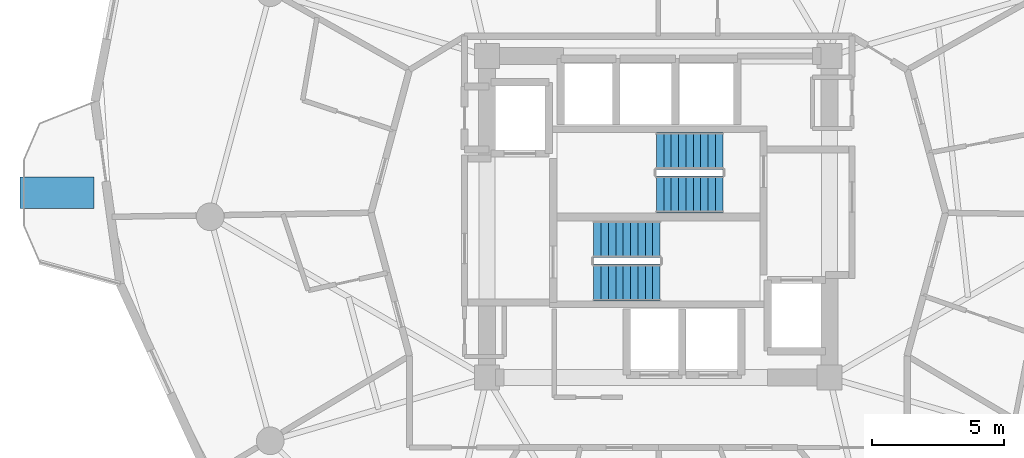
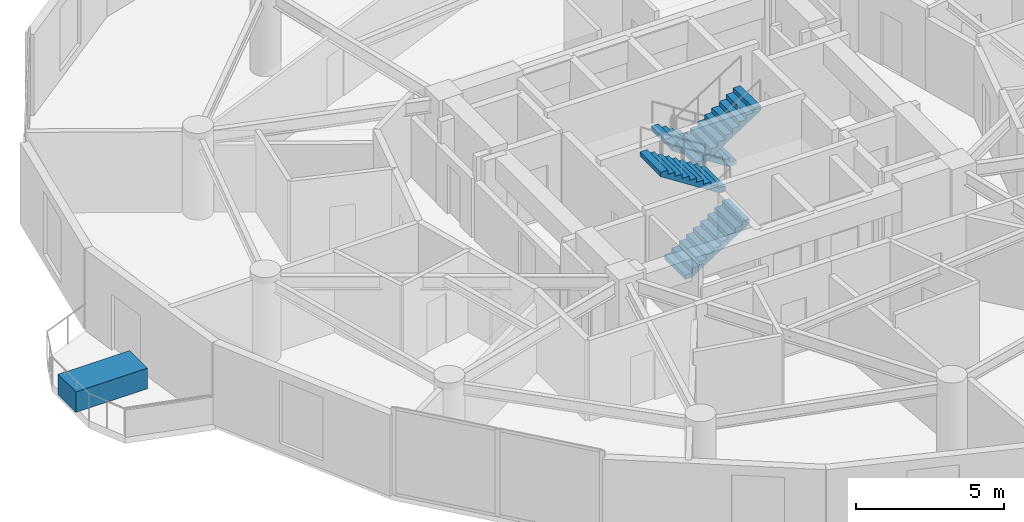
# One storey, part 21 of 23: 4 stair flights, 1 discrete accessory, 2 elements without a shape of their own.
"""IFC4 building model written with IfcOpenShell, lengths in metres."""

import ifcopenshell
import ifcopenshell.guid

model = None  # the IFC model being written
_history = None  # IfcOwnerHistory: only IFC2X3 demands one
_inside = {}  # id of a spatial element -> (the spatial element, [elements in it])
_under = {}  # id of a project, library or spatial element -> (it, [spatial elements below it])
_declared = {}  # id of a project -> (the project, [libraries it declares])
_typed = {}  # id of a type object -> (the type object, [elements of that type])
_made_of = {}  # id of a material, layer set ... -> (it, [elements and type objects made of it])


def new_model(schema):
    """Start an empty IFC model of exactly this schema.

    Asked for "IFC4X3", IfcOpenShell would pick the latest addendum, in which some entities
    have other attributes; the version numbers below select the first issue.
    IFC2X3 requires an IfcOwnerHistory on every rooted entity: one is made here for all.
    """
    global model, _history
    if schema == "IFC4X3":
        model = ifcopenshell.file(schema_version=(4, 3, 0, 0))
    else:
        model = ifcopenshell.file(schema=schema)
    _inside.clear()
    _under.clear()
    _declared.clear()
    _typed.clear()
    _made_of.clear()
    _history = None
    if model.schema == "IFC2X3":
        org = make("IfcOrganization", Name="unknown")
        user = make(
            "IfcPersonAndOrganization",
            ThePerson=make("IfcPerson", FamilyName="unknown"),
            TheOrganization=org,
        )
        app = make(
            "IfcApplication",
            ApplicationDeveloper=org,
            Version="unknown",
            ApplicationFullName="unknown",
            ApplicationIdentifier="unknown",
        )
        _history = make(
            "IfcOwnerHistory",
            OwningUser=user,
            OwningApplication=app,
            ChangeAction="ADDED",
            CreationDate=0,
        )
    return model


def make(cls, **values):
    """One entity of the class cls with the attributes given. An attribute that is None is left unset."""
    return model.create_entity(
        cls, **{name: value for name, value in values.items() if value is not None}
    )


def rooted(cls, **values):
    """An entity with a GlobalId (a new one), such as an element, a storey or a relation."""
    return make(cls, GlobalId=ifcopenshell.guid.new(), OwnerHistory=_history, **values)


def si_unit(unit_type, name, prefix=None):
    """IfcSIUnit, for example si_unit("LENGTHUNIT", "METRE", prefix="MILLI")."""
    return make("IfcSIUnit", UnitType=unit_type, Prefix=prefix, Name=name)


def assignment(units):
    """IfcUnitAssignment: the units of a project."""
    return None if units is None else make("IfcUnitAssignment", Units=units)


def point(xyz):
    """IfcCartesianPoint."""
    return None if xyz is None else make("IfcCartesianPoint", Coordinates=xyz)


def direction(xyz):
    """IfcDirection."""
    return None if xyz is None else make("IfcDirection", DirectionRatios=xyz)


def frame(location, z_axis=None, x_axis=None):
    """IfcAxis2Placement3D, a coordinate frame: its origin and axes. An axis left out is left unset."""
    return make(
        "IfcAxis2Placement3D",
        Location=point(location),
        Axis=direction(z_axis),
        RefDirection=direction(x_axis),
    )


def frame_2d(location, x_axis=None):
    """IfcAxis2Placement2D, a coordinate frame in the plane: its origin and x axis."""
    return make(
        "IfcAxis2Placement2D", Location=point(location), RefDirection=direction(x_axis)
    )


def origin():
    """The frame at (0, 0, 0) with its axes left unset."""
    return frame((0.0, 0.0, 0.0))


def origin_2d():
    """The frame at (0, 0) in the plane with its x axis left unset."""
    return frame_2d((0.0, 0.0))


def place(relative_to, where):
    """IfcLocalPlacement: puts the frame where relative to a parent placement (None: the world)."""
    return make(
        "IfcLocalPlacement", PlacementRelTo=relative_to, RelativePlacement=where
    )


def context(
    kind, dimensions, precision=None, world=None, true_north=None, identifier=None
):
    """IfcGeometricRepresentationContext, for example the 3D "Model" context."""
    return make(
        "IfcGeometricRepresentationContext",
        ContextIdentifier=identifier,
        ContextType=kind,
        CoordinateSpaceDimension=dimensions,
        Precision=precision,
        WorldCoordinateSystem=world,
        TrueNorth=true_north,
    )


def subcontext(parent, identifier, kind, view, scale=None):
    """IfcGeometricRepresentationSubContext, for example "Body" below "Model"."""
    return make(
        "IfcGeometricRepresentationSubContext",
        ContextIdentifier=identifier,
        ContextType=kind,
        ParentContext=parent,
        TargetScale=scale,
        TargetView=view,
    )


def project(units=None, contexts=None):
    """IfcProject with its units and contexts."""
    return rooted(
        "IfcProject",
        Name="project",
        RepresentationContexts=contexts,
        UnitsInContext=assignment(units),
    )


def spatial(cls, under=None, at=None, **own):
    """A site, building, storey or space (cls), placed at a placement, below another one or the project."""
    s = rooted(cls, ObjectPlacement=at, **own)
    if under is not None:
        _under.setdefault(under.id(), (under, []))[1].append(s)
    return s


def polyline(points):
    """IfcPolyline through the points."""
    return make("IfcPolyline", Points=[point(p) for p in points])


def profile(cls, at=None, kind="AREA", **sizes):
    """A parametric profile (cls). Its sizes go by their IFC names, for example OverallWidth=200.0."""
    return make(cls, ProfileType=kind, Position=at, **sizes)


def rectangle(**sizes):
    """IfcRectangleProfileDef."""
    return profile("IfcRectangleProfileDef", **sizes)


def outline(outer, holes=None, kind="AREA"):
    """IfcArbitraryClosedProfileDef: a profile drawn as a closed curve; with holes, ...WithVoids."""
    if holes is None:
        return make("IfcArbitraryClosedProfileDef", ProfileType=kind, OuterCurve=outer)
    return make(
        "IfcArbitraryProfileDefWithVoids",
        ProfileType=kind,
        OuterCurve=outer,
        InnerCurves=holes,
    )


def extrude(swept, where, along, depth):
    """IfcExtrudedAreaSolid: the profile swept, set in the frame where, extruded along a direction by depth."""
    return make(
        "IfcExtrudedAreaSolid",
        SweptArea=swept,
        Position=where,
        ExtrudedDirection=direction(along),
        Depth=depth,
    )


def shape(context_of_items, identifier, shape_type, items):
    """IfcShapeRepresentation: the items that make up one representation, for example the "Body"."""
    return make(
        "IfcShapeRepresentation",
        ContextOfItems=context_of_items,
        RepresentationIdentifier=identifier,
        RepresentationType=shape_type,
        Items=items,
    )


def material(Name=None, Category=None):
    """IfcMaterial."""
    return make("IfcMaterial", Name=Name, Category=Category)


def made_of(thing, what):
    """Note that an element or type object is made of a material, layer set ...; save() writes the relation."""
    if what is not None:
        _made_of.setdefault(what.id(), (what, []))[1].append(thing)
    return thing


def type_object(cls, material=None, **own):
    """A type object (cls), such as IfcWallType, which elements share."""
    return made_of(rooted(cls, **own), material)


def element(
    cls,
    number,
    at=None,
    inside=None,
    cuts=None,
    type_object=None,
    material=None,
    context=None,
    identifier="Body",
    shape_type=None,
    held_by="IfcProductDefinitionShape",
    body=None,
    shapes=None,
    **own,
):
    """One element of the class cls, such as IfcWall. Its Tag is "e" and its number.

    at: its placement. inside: the storey or other place that contains it. cuts: it is an
    opening in that element (IfcRelVoidsElement). A single representation is given by context,
    identifier, shape_type and body (its items); several are given by shapes. held_by: the class
    of the entity that holds the representations. save() writes the other relations.
    """
    e = rooted(cls, Tag="e%d" % number, ObjectPlacement=at, **own)
    if body is not None:
        shapes = [shape(context, identifier, shape_type, body)]
    if shapes is not None:
        e.Representation = make(held_by, Representations=shapes)
    if inside is not None:
        _inside.setdefault(inside.id(), (inside, []))[1].append(e)
    if cuts is not None:
        rooted(
            "IfcRelVoidsElement", RelatingBuildingElement=cuts, RelatedOpeningElement=e
        )
    if type_object is not None:
        _typed.setdefault(type_object.id(), (type_object, []))[1].append(e)
    return made_of(e, material)


def aggregate(whole, parts):
    """IfcRelAggregates: a whole, such as a stair, and the parts it consists of."""
    return rooted("IfcRelAggregates", RelatingObject=whole, RelatedObjects=parts)


def save(model, path):
    """Write the relations noted so far, then the file.

    IfcRelAggregates (storeys below a building ...), IfcRelContainedInSpatialStructure (elements
    in a storey), IfcRelDefinesByType, IfcRelAssociatesMaterial and IfcRelDeclares: one each for
    every whole, place, type object, material and project.
    """
    for whole, parts in _under.values():
        aggregate(whole, parts)
    for where, things in _inside.values():
        rooted(
            "IfcRelContainedInSpatialStructure",
            RelatedElements=things,
            RelatingStructure=where,
        )
    for kind, things in _typed.values():
        rooted("IfcRelDefinesByType", RelatedObjects=things, RelatingType=kind)
    for what, things in _made_of.values():
        rooted("IfcRelAssociatesMaterial", RelatedObjects=things, RelatingMaterial=what)
    for by, libraries in _declared.values():
        rooted("IfcRelDeclares", RelatingContext=by, RelatedDefinitions=libraries)
    model.write(path)


model = new_model("IFC4")

# Units and contexts
model_context = context("Model", 3, precision=1e-05, world=origin(), true_north=direction((0.0, 1.0)))
body_context = subcontext(model_context, "Body", "Model", "MODEL_VIEW")
ifc_project = project(units=[si_unit("LENGTHUNIT", "METRE"), si_unit("AREAUNIT", "SQUARE_METRE"), si_unit("VOLUMEUNIT", "CUBIC_METRE"), si_unit("PLANEANGLEUNIT", "RADIAN"), si_unit("MASSUNIT", "GRAM", prefix="KILO")], contexts=[model_context])

# Site, building, storey
site_placement = place(None, origin())
site = spatial("IfcSite", under=ifc_project, at=site_placement, CompositionType="ELEMENT")
building_placement = place(site_placement, origin())
building = spatial("IfcBuilding", under=site, at=building_placement, Name="Solvirekh Grand Hotel", CompositionType="ELEMENT")
storey_placement = place(building_placement, frame((0.0, 0.0, 138.60009765625)))
storey = spatial("IfcBuildingStorey", under=building, at=storey_placement, Name="L35", CompositionType="ELEMENT", Elevation=138.60009765625)

# Stair, stair flights
ifc_material_1 = material(Name="Concrete C40/50", Category="concrete")
stair_type = type_object("IfcStairType", Name="Stair_Core_1450", PredefinedType="HALF_TURN_STAIR", material=ifc_material_1)
stair_1_placement = place(storey_placement, origin())
stair_1 = element("IfcStair", 1, at=stair_1_placement, inside=storey, type_object=stair_type, Name="L35 Enclosed exit stair ST-1", PredefinedType="HALF_TURN_STAIR")
stair_flight_type = type_object("IfcStairFlightType", Name="Flight_Core_1450", PredefinedType="STRAIGHT", material=ifc_material_1)
stair_flight_1_placement = place(storey_placement, frame((-2.449951171875, -2.5, 0.0), z_axis=(0.0, 0.0, 1.0), x_axis=(1.0, 0.0, 0.0)))
stair_flight_1 = element("IfcStairFlight", 2, at=stair_flight_1_placement, type_object=stair_flight_type, Name="ST-1 flight 1", NumberOfRisers=10, NumberOfTreads=9, PredefinedType="STRAIGHT", RiserHeight=0.18, TreadLength=0.28, context=body_context, shape_type="SweptSolid", body=[
    extrude(outline(polyline([(0.0, 0.0), (0.0, 0.179931640625), (0.280029296875, 0.179931640625), (0.280029296875, 0.360107421875), (0.56005859375, 0.360107421875), (0.56005859375, 0.5400390625), (0.840087890625, 0.5400390625), (0.840087890625, 0.719970703125), (1.1201171875, 0.719970703125), (1.1201171875, 0.89990234375), (1.39990234375, 0.89990234375), (1.39990234375, 1.080078125), (1.679931640625, 1.080078125), (1.679931640625, 1.260009765625), (1.9599609375, 1.260009765625), (1.9599609375, 1.43994140625), (2.239990234375, 1.43994140625), (2.239990234375, 1.6201171875), (2.52001953125, 1.6201171875), (2.52001953125, 1.800048828125), (2.52001953125, 1.44189453125), (0.277099609375, 0.0), (0.0, 0.0)])), frame((0.0, 0.699951171875, 0.0), z_axis=(0.0, -1.0, 0.0), x_axis=(1.0, 0.0, 0.0)), (0.0, 0.0, 1.0), 1.39990234375),
])
stair_flight_2_placement = place(storey_placement, frame((0.070068359375, -0.85009765625, 1.7998046875), z_axis=(0.0, 0.0, 1.0), x_axis=(-1.0, 0.0, 0.0)))
stair_flight_2 = element("IfcStairFlight", 3, at=stair_flight_2_placement, type_object=stair_flight_type, Name="ST-1 flight 2", NumberOfRisers=10, NumberOfTreads=9, PredefinedType="STRAIGHT", RiserHeight=0.18, TreadLength=0.28, context=body_context, shape_type="SweptSolid", body=[
    extrude(outline(polyline([(0.0, 0.0), (0.0, 0.179931640625), (0.280029296875, 0.179931640625), (0.280029296875, 0.360107421875), (0.56005859375, 0.360107421875), (0.56005859375, 0.5400390625), (0.840087890625, 0.5400390625), (0.840087890625, 0.719970703125), (1.1201171875, 0.719970703125), (1.1201171875, 0.89990234375), (1.39990234375, 0.89990234375), (1.39990234375, 1.080078125), (1.679931640625, 1.080078125), (1.679931640625, 1.260009765625), (1.9599609375, 1.260009765625), (1.9599609375, 1.43994140625), (2.239990234375, 1.43994140625), (2.239990234375, 1.6201171875), (2.52001953125, 1.6201171875), (2.52001953125, 1.800048828125), (2.52001953125, 1.44189453125), (0.277099609375, 0.0), (0.0, 0.0)])), frame((0.0, 0.699951171875, 0.0), z_axis=(0.0, -1.0, 0.0), x_axis=(1.0, 0.0, 0.0)), (0.0, 0.0, 1.0), 1.39990234375),
])
aggregate(stair_1, [stair_flight_1, stair_flight_2])

stair_2_placement = place(storey_placement, origin())
stair_2 = element("IfcStair", 4, at=stair_2_placement, inside=storey, type_object=stair_type, Name="L35 Enclosed exit stair ST-2", PredefinedType="HALF_TURN_STAIR")
stair_flight_3_placement = place(storey_placement, frame((2.449951171875, 2.5, 0.0), z_axis=(0.0, 0.0, 1.0), x_axis=(-1.0, 0.0, 0.0)))
stair_flight_3 = element("IfcStairFlight", 5, at=stair_flight_3_placement, type_object=stair_flight_type, Name="ST-2 flight 1", NumberOfRisers=10, NumberOfTreads=9, PredefinedType="STRAIGHT", RiserHeight=0.18, TreadLength=0.28, context=body_context, shape_type="SweptSolid", body=[
    extrude(outline(polyline([(0.0, 0.0), (0.0, 0.179931640625), (0.280029296875, 0.179931640625), (0.280029296875, 0.360107421875), (0.56005859375, 0.360107421875), (0.56005859375, 0.5400390625), (0.840087890625, 0.5400390625), (0.840087890625, 0.719970703125), (1.1201171875, 0.719970703125), (1.1201171875, 0.89990234375), (1.39990234375, 0.89990234375), (1.39990234375, 1.080078125), (1.679931640625, 1.080078125), (1.679931640625, 1.260009765625), (1.9599609375, 1.260009765625), (1.9599609375, 1.43994140625), (2.239990234375, 1.43994140625), (2.239990234375, 1.6201171875), (2.52001953125, 1.6201171875), (2.52001953125, 1.800048828125), (2.52001953125, 1.44189453125), (0.277099609375, 0.0), (0.0, 0.0)])), frame((0.0, 0.699951171875, 0.0), z_axis=(0.0, -1.0, 0.0), x_axis=(1.0, 0.0, 0.0)), (0.0, 0.0, 1.0), 1.39990234375),
])
stair_flight_4_placement = place(storey_placement, frame((-0.070068359375, 0.85009765625, 1.7998046875), z_axis=(0.0, 0.0, 1.0), x_axis=(1.0, 0.0, 0.0)))
stair_flight_4 = element("IfcStairFlight", 6, at=stair_flight_4_placement, type_object=stair_flight_type, Name="ST-2 flight 2", NumberOfRisers=10, NumberOfTreads=9, PredefinedType="STRAIGHT", RiserHeight=0.18, TreadLength=0.28, context=body_context, shape_type="SweptSolid", body=[
    extrude(outline(polyline([(0.0, 0.0), (0.0, 0.179931640625), (0.280029296875, 0.179931640625), (0.280029296875, 0.360107421875), (0.56005859375, 0.360107421875), (0.56005859375, 0.5400390625), (0.840087890625, 0.5400390625), (0.840087890625, 0.719970703125), (1.1201171875, 0.719970703125), (1.1201171875, 0.89990234375), (1.39990234375, 0.89990234375), (1.39990234375, 1.080078125), (1.679931640625, 1.080078125), (1.679931640625, 1.260009765625), (1.9599609375, 1.260009765625), (1.9599609375, 1.43994140625), (2.239990234375, 1.43994140625), (2.239990234375, 1.6201171875), (2.52001953125, 1.6201171875), (2.52001953125, 1.800048828125), (2.52001953125, 1.44189453125), (0.277099609375, 0.0), (0.0, 0.0)])), frame((0.0, 0.699951171875, 0.0), z_axis=(0.0, -1.0, 0.0), x_axis=(1.0, 0.0, 0.0)), (0.0, 0.0, 1.0), 1.39990234375),
])
aggregate(stair_2, [stair_flight_3, stair_flight_4])

# Discrete accessory
ifc_material_2 = material(Name="Precast concrete C45/55", Category="concrete")
discrete_accessory_type = type_object("IfcDiscreteAccessoryType", Name="Acc_PlanterBox", PredefinedType="USERDEFINED", material=ifc_material_2)
discrete_accessory_placement = place(storey_placement, frame((-22.81591796875, 0.9140625, -0.000244140625), z_axis=(0.0, 0.0, 1.0), x_axis=(0.0, 1.0, 0.0)))
element("IfcDiscreteAccessory", 7, at=discrete_accessory_placement, inside=storey, type_object=discrete_accessory_type, Name="L35 horn sky-garden tree planter", ObjectType="PLANTER", PredefinedType="USERDEFINED", context=body_context, shape_type="SweptSolid", body=[
    extrude(rectangle(XDim=1.199951171875, YDim=2.800048828125, at=origin_2d()), origin(), (0.0, 0.0, 1.0), 0.85009765625),
])

save(model, "model.ifc")
